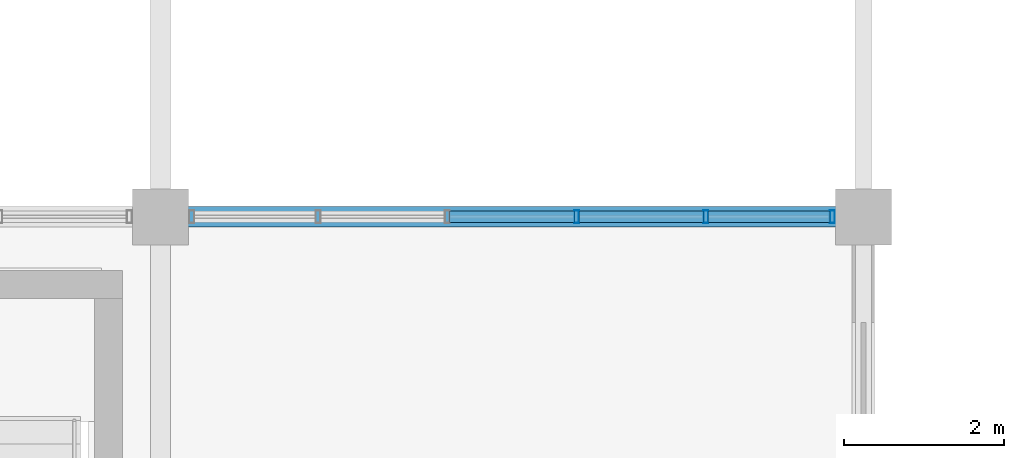
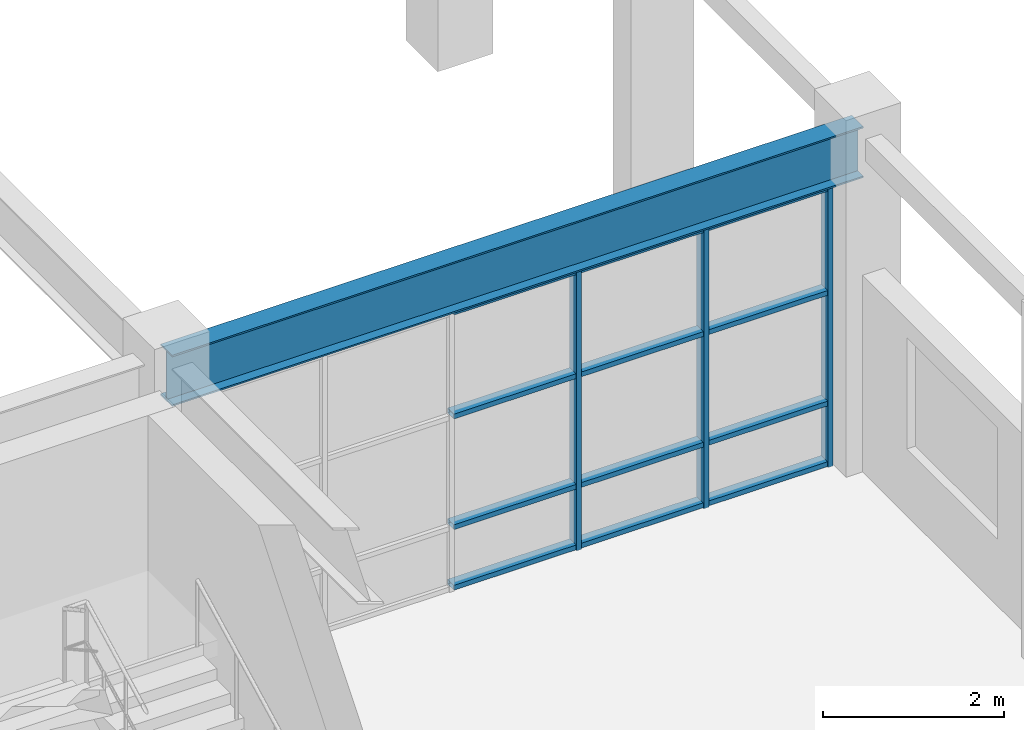
# One storey, part 31 of 104: 15 members, 1 beam, 1 element without a shape of its own.
"""IFC4 building model written with IfcOpenShell, lengths in metres."""

from ifc_helpers import new_model, si_unit, direction, frame, origin, origin_2d, place, context, subcontext, project, spatial, hollow_rectangle, i_section, extrude, material, layer, layer_set, material_profile, profile_set, type_object, element, aggregate, save


model = new_model("IFC4")

# Units and contexts
model_context = context("Model", 3, precision=1e-05, world=origin(), true_north=direction((0.0, 1.0)))
body_context = subcontext(model_context, "Body", "Model", "MODEL_VIEW")
ifc_project = project(units=[si_unit("LENGTHUNIT", "METRE"), si_unit("AREAUNIT", "SQUARE_METRE"), si_unit("VOLUMEUNIT", "CUBIC_METRE"), si_unit("PLANEANGLEUNIT", "RADIAN"), si_unit("MASSUNIT", "GRAM", prefix="KILO")], contexts=[model_context])

# Site, building, storey
site_placement = place(None, origin())
site = spatial("IfcSite", under=ifc_project, at=site_placement, CompositionType="ELEMENT")
building_placement = place(site_placement, origin())
building = spatial("IfcBuilding", under=site, at=building_placement, Name="Ventoquebrada Cableway Terminal", CompositionType="ELEMENT")
storey_placement = place(building_placement, frame((0.0, 0.0, 4.800048828125)))
storey = spatial("IfcBuildingStorey", under=building, at=storey_placement, Name="L01", CompositionType="ELEMENT", Elevation=4.800048828125)

# Beam
ifc_material_1 = material(Name="Steel ASTM A992 Grade 50", Category="steel")
ifc_material_profile_1 = material_profile(ifc_material_1, i_section(OverallWidth=0.25390625, OverallDepth=0.68798828125, WebThickness=0.01318359375, FlangeThickness=0.02099609375, at=origin_2d()), Name="W27X102")
ifc_profile_set_1 = profile_set([ifc_material_profile_1], Name="Steel ASTM A992 Grade 50")
beam_type = type_object("IfcBeamType", Name="BM-ST04", PredefinedType="BEAM", material=ifc_profile_set_1)
beam_placement = place(storey_placement, frame((26.199951171875, 95.0, 4.120849609375), z_axis=(1.0, 0.0, 0.0), x_axis=(0.0, 1.0, 0.0)))
element("IfcBeam", 1, at=beam_placement, inside=storey, type_object=beam_type, Name="Primary frame girder FBM-0394", PredefinedType="BEAM", context=body_context, shape_type="SweptSolid", body=[
    extrude(i_section(OverallWidth=0.25390625, OverallDepth=0.68798828125, WebThickness=0.01318359375, FlangeThickness=0.02099609375, at=origin_2d()), origin(), (0.0, 0.0, 1.0), 8.800048828125),
])

# Curtain wall, members
ifc_material_2 = material(Name="Anodized thermally-broken aluminium", Category="aluminium")
ifc_layer = layer(ifc_material_2, 0.159912109375)
ifc_layer_set = layer_set([ifc_layer], Name="Anodized thermally-broken aluminium")
curtain_wall_type = type_object("IfcCurtainWallType", Name="CW-T15", PredefinedType="USERDEFINED", material=ifc_layer_set)
curtain_wall_placement = place(storey_placement, origin())
curtain_wall = element("IfcCurtainWall", 2, at=curtain_wall_placement, inside=storey, type_object=curtain_wall_type, Name="Unitised glazed curtain wall CW-032", ObjectType="UNITISED CURTAIN WALL", PredefinedType="USERDEFINED")
ifc_material_profile_2 = material_profile(ifc_material_2, hollow_rectangle(XDim=0.06494140625, YDim=0.159912109375, WallThickness=0.00390625, at=origin_2d()), Name="CW-MUL-65X160")
ifc_profile_set_2 = profile_set([ifc_material_profile_2], Name="Anodized thermally-broken aluminium")
member_type_1 = type_object("IfcMemberType", Name="CWM-01", PredefinedType="MULLION", material=ifc_profile_set_2)
member_1_placement = place(storey_placement, frame((34.610107421875, 95.0, -0.008056640625), z_axis=(0.0, 0.0, 1.0), x_axis=(-1.0, 0.0, 0.0)))
member_1 = element("IfcMember", 3, at=member_1_placement, type_object=member_type_1, Name="Curtain wall mullion FML-0145", PredefinedType="MULLION", context=body_context, shape_type="SweptSolid", body=[
    extrude(hollow_rectangle(XDim=0.06494140625, YDim=0.159912109375, WallThickness=0.00390625, at=origin_2d()), origin(), (0.0, 0.0, 1.0), 3.784912109375),
])
member_2_placement = place(storey_placement, frame((33.027099609375, 95.0, -0.008056640625), z_axis=(0.0, 0.0, 1.0), x_axis=(-1.0, 0.0, 0.0)))
member_2 = element("IfcMember", 4, at=member_2_placement, type_object=member_type_1, Name="Curtain wall mullion FML-0146", PredefinedType="MULLION", context=body_context, shape_type="SweptSolid", body=[
    extrude(hollow_rectangle(XDim=0.06494140625, YDim=0.159912109375, WallThickness=0.00390625, at=origin_2d()), origin(), (0.0, 0.0, 1.0), 3.784912109375),
])
member_3_placement = place(storey_placement, frame((31.408935546875, 95.0, -0.008056640625), z_axis=(0.0, 0.0, 1.0), x_axis=(-1.0, 0.0, 0.0)))
member_3 = element("IfcMember", 5, at=member_3_placement, type_object=member_type_1, Name="Curtain wall mullion FML-0147", PredefinedType="MULLION", context=body_context, shape_type="SweptSolid", body=[
    extrude(hollow_rectangle(XDim=0.06494140625, YDim=0.159912109375, WallThickness=0.00390625, at=origin_2d()), origin(), (0.0, 0.0, 1.0), 3.784912109375),
])
ifc_material_profile_3 = material_profile(ifc_material_2, hollow_rectangle(XDim=0.06494140625, YDim=0.139892578125, WallThickness=0.00390625, at=origin_2d()), Name="CW-TRN-65X140")
ifc_profile_set_3 = profile_set([ifc_material_profile_3], Name="Anodized thermally-broken aluminium")
member_type_2 = type_object("IfcMemberType", Name="CWT-01", PredefinedType="USERDEFINED", material=ifc_profile_set_3)
member_4_placement = place(storey_placement, frame((34.5830078125, 95.0, 0.034912109375), z_axis=(-1.0, 0.0, 0.0), x_axis=(0.0, 0.0, 1.0)))
member_4 = element("IfcMember", 6, at=member_4_placement, type_object=member_type_2, Name="Curtain wall transom FTR-0431", ObjectType="TRANSOM", PredefinedType="USERDEFINED", context=body_context, shape_type="SweptSolid", body=[
    extrude(hollow_rectangle(XDim=0.06494140625, YDim=0.139892578125, WallThickness=0.00390625, at=origin_2d()), origin(), (0.0, 0.0, 1.0), 1.528076171875),
])
member_5_placement = place(storey_placement, frame((34.5830078125, 95.0, 0.849853515625), z_axis=(-1.0, 0.0, 0.0), x_axis=(0.0, 0.0, 1.0)))
member_5 = element("IfcMember", 7, at=member_5_placement, type_object=member_type_2, Name="Curtain wall transom FTR-0432", ObjectType="TRANSOM", PredefinedType="USERDEFINED", context=body_context, shape_type="SweptSolid", body=[
    extrude(hollow_rectangle(XDim=0.06494140625, YDim=0.139892578125, WallThickness=0.00390625, at=origin_2d()), origin(), (0.0, 0.0, 1.0), 1.528076171875),
])
member_6_placement = place(storey_placement, frame((34.5830078125, 95.0, 2.3388671875), z_axis=(-1.0, 0.0, 0.0), x_axis=(0.0, 0.0, 1.0)))
member_6 = element("IfcMember", 8, at=member_6_placement, type_object=member_type_2, Name="Curtain wall transom FTR-0433", ObjectType="TRANSOM", PredefinedType="USERDEFINED", context=body_context, shape_type="SweptSolid", body=[
    extrude(hollow_rectangle(XDim=0.06494140625, YDim=0.139892578125, WallThickness=0.00390625, at=origin_2d()), origin(), (0.0, 0.0, 1.0), 1.528076171875),
])
member_7_placement = place(storey_placement, frame((34.5830078125, 95.0, 3.737060546875), z_axis=(-1.0, 0.0, 0.0), x_axis=(0.0, 0.0, 1.0)))
member_7 = element("IfcMember", 9, at=member_7_placement, type_object=member_type_2, Name="Curtain wall transom FTR-0434", ObjectType="TRANSOM", PredefinedType="USERDEFINED", context=body_context, shape_type="SweptSolid", body=[
    extrude(hollow_rectangle(XDim=0.06494140625, YDim=0.139892578125, WallThickness=0.00390625, at=origin_2d()), origin(), (0.0, 0.0, 1.0), 1.528076171875),
])
member_8_placement = place(storey_placement, frame((33.0, 95.0, 0.034912109375), z_axis=(-1.0, 0.0, 0.0), x_axis=(0.0, 0.0, 1.0)))
member_8 = element("IfcMember", 10, at=member_8_placement, type_object=member_type_2, Name="Curtain wall transom FTR-0435", ObjectType="TRANSOM", PredefinedType="USERDEFINED", context=body_context, shape_type="SweptSolid", body=[
    extrude(hollow_rectangle(XDim=0.06494140625, YDim=0.139892578125, WallThickness=0.00390625, at=origin_2d()), origin(), (0.0, 0.0, 1.0), 1.56298828125),
])
member_9_placement = place(storey_placement, frame((33.0, 95.0, 0.849853515625), z_axis=(-1.0, 0.0, 0.0), x_axis=(0.0, 0.0, 1.0)))
member_9 = element("IfcMember", 11, at=member_9_placement, type_object=member_type_2, Name="Curtain wall transom FTR-0436", ObjectType="TRANSOM", PredefinedType="USERDEFINED", context=body_context, shape_type="SweptSolid", body=[
    extrude(hollow_rectangle(XDim=0.06494140625, YDim=0.139892578125, WallThickness=0.00390625, at=origin_2d()), origin(), (0.0, 0.0, 1.0), 1.56298828125),
])
member_10_placement = place(storey_placement, frame((33.0, 95.0, 2.3388671875), z_axis=(-1.0, 0.0, 0.0), x_axis=(0.0, 0.0, 1.0)))
member_10 = element("IfcMember", 12, at=member_10_placement, type_object=member_type_2, Name="Curtain wall transom FTR-0437", ObjectType="TRANSOM", PredefinedType="USERDEFINED", context=body_context, shape_type="SweptSolid", body=[
    extrude(hollow_rectangle(XDim=0.06494140625, YDim=0.139892578125, WallThickness=0.00390625, at=origin_2d()), origin(), (0.0, 0.0, 1.0), 1.56298828125),
])
member_11_placement = place(storey_placement, frame((33.0, 95.0, 3.737060546875), z_axis=(-1.0, 0.0, 0.0), x_axis=(0.0, 0.0, 1.0)))
member_11 = element("IfcMember", 13, at=member_11_placement, type_object=member_type_2, Name="Curtain wall transom FTR-0438", ObjectType="TRANSOM", PredefinedType="USERDEFINED", context=body_context, shape_type="SweptSolid", body=[
    extrude(hollow_rectangle(XDim=0.06494140625, YDim=0.139892578125, WallThickness=0.00390625, at=origin_2d()), origin(), (0.0, 0.0, 1.0), 1.56298828125),
])
member_12_placement = place(storey_placement, frame((31.382080078125, 95.0, 0.034912109375), z_axis=(-1.0, 0.0, 0.0), x_axis=(0.0, 0.0, 1.0)))
member_12 = element("IfcMember", 14, at=member_12_placement, type_object=member_type_2, Name="Curtain wall transom FTR-0439", ObjectType="TRANSOM", PredefinedType="USERDEFINED", context=body_context, shape_type="SweptSolid", body=[
    extrude(hollow_rectangle(XDim=0.06494140625, YDim=0.139892578125, WallThickness=0.00390625, at=origin_2d()), origin(), (0.0, 0.0, 1.0), 1.56298828125),
])
member_13_placement = place(storey_placement, frame((31.382080078125, 95.0, 0.849853515625), z_axis=(-1.0, 0.0, 0.0), x_axis=(0.0, 0.0, 1.0)))
member_13 = element("IfcMember", 15, at=member_13_placement, type_object=member_type_2, Name="Curtain wall transom FTR-0440", ObjectType="TRANSOM", PredefinedType="USERDEFINED", context=body_context, shape_type="SweptSolid", body=[
    extrude(hollow_rectangle(XDim=0.06494140625, YDim=0.139892578125, WallThickness=0.00390625, at=origin_2d()), origin(), (0.0, 0.0, 1.0), 1.56298828125),
])
member_14_placement = place(storey_placement, frame((31.382080078125, 95.0, 2.3388671875), z_axis=(-1.0, 0.0, 0.0), x_axis=(0.0, 0.0, 1.0)))
member_14 = element("IfcMember", 16, at=member_14_placement, type_object=member_type_2, Name="Curtain wall transom FTR-0441", ObjectType="TRANSOM", PredefinedType="USERDEFINED", context=body_context, shape_type="SweptSolid", body=[
    extrude(hollow_rectangle(XDim=0.06494140625, YDim=0.139892578125, WallThickness=0.00390625, at=origin_2d()), origin(), (0.0, 0.0, 1.0), 1.56298828125),
])
member_15_placement = place(storey_placement, frame((31.382080078125, 95.0, 3.737060546875), z_axis=(-1.0, 0.0, 0.0), x_axis=(0.0, 0.0, 1.0)))
member_15 = element("IfcMember", 17, at=member_15_placement, type_object=member_type_2, Name="Curtain wall transom FTR-0442", ObjectType="TRANSOM", PredefinedType="USERDEFINED", context=body_context, shape_type="SweptSolid", body=[
    extrude(hollow_rectangle(XDim=0.06494140625, YDim=0.139892578125, WallThickness=0.00390625, at=origin_2d()), origin(), (0.0, 0.0, 1.0), 1.56298828125),
])
aggregate(curtain_wall, [member_1, member_2, member_3, member_4, member_5, member_6, member_7, member_8, member_9, member_10, member_11, member_12, member_13, member_14, member_15])

save(model, "model.ifc")
